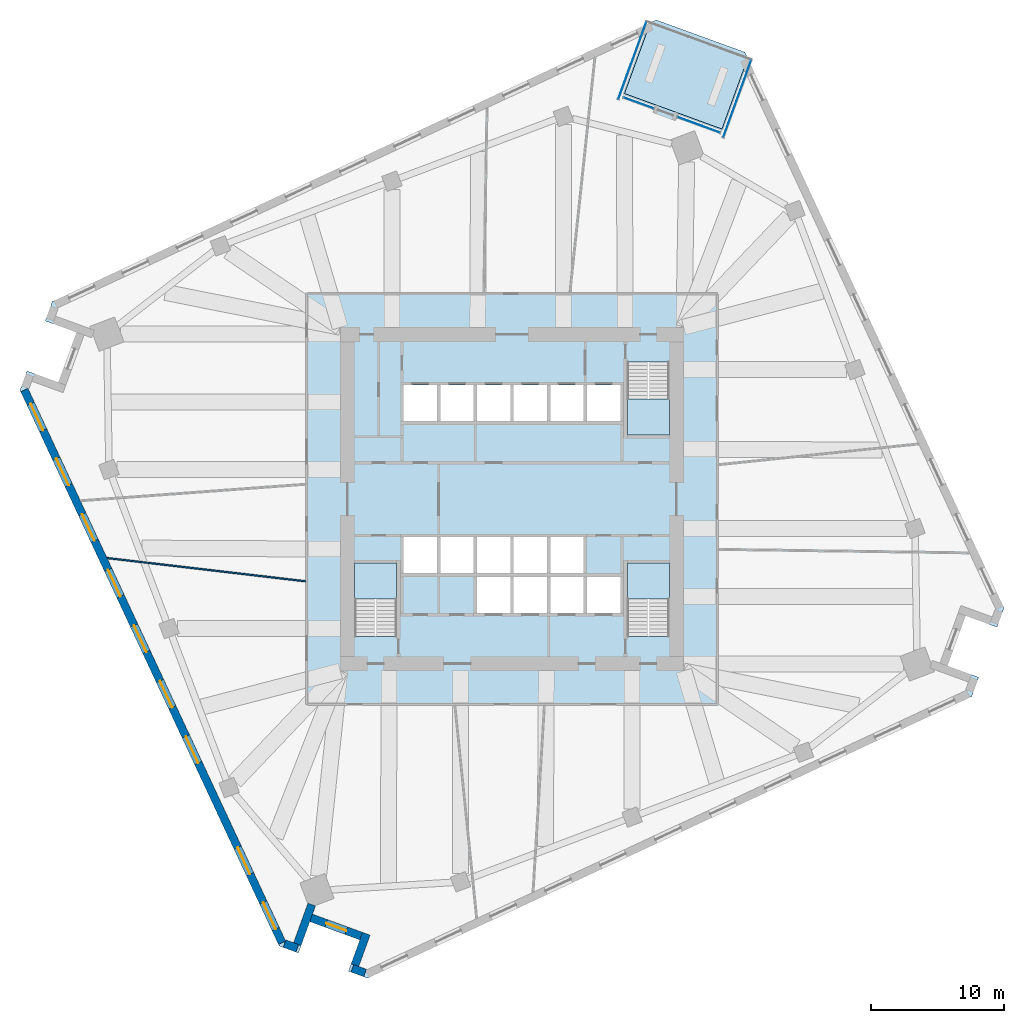
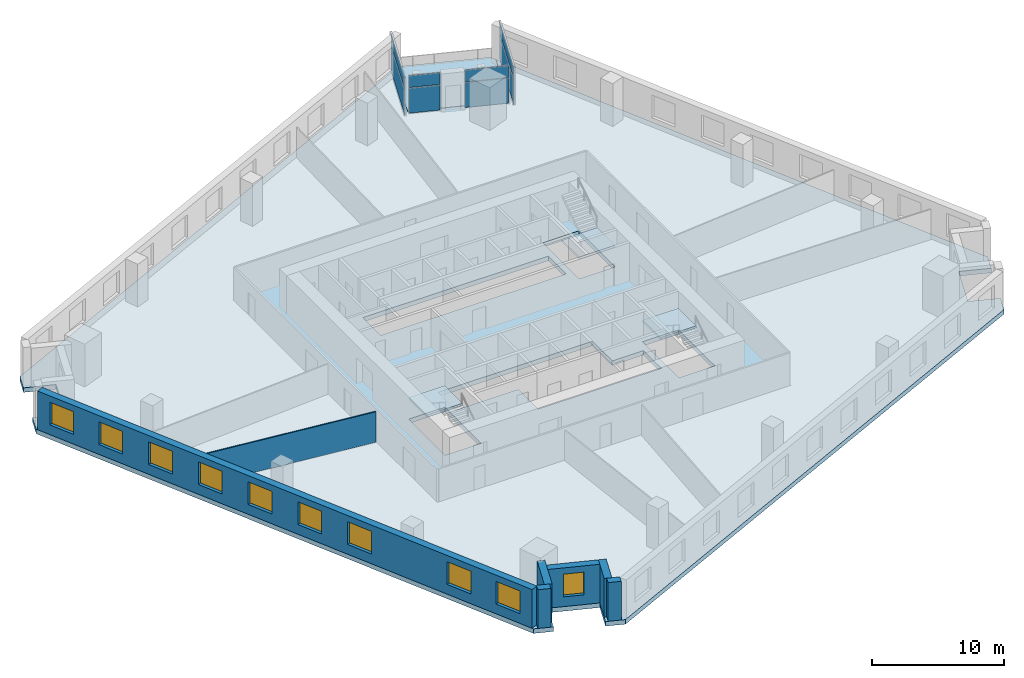
# One storey, part 5 of 12: 10 windows, 8 plates, 7 walls, 5 slabs, 10 openings, 7 elements without a shape of their own.
"""IFC4 building model written with IfcOpenShell, lengths in metres."""

from ifc_helpers import new_model, si_unit, direction, frame, frame_2d, origin, origin_2d, place, context, subcontext, project, spatial, polyline, rectangle, outline, extrude, material, layer, layer_set, type_object, element, fill, aggregate, save


model = new_model("IFC4")

# Units and contexts
model_context = context("Model", 3, precision=1e-05, world=origin(), true_north=direction((0.0, 1.0)))
body_context = subcontext(model_context, "Body", "Model", "MODEL_VIEW")
ifc_project = project(units=[si_unit("LENGTHUNIT", "METRE"), si_unit("AREAUNIT", "SQUARE_METRE"), si_unit("VOLUMEUNIT", "CUBIC_METRE"), si_unit("PLANEANGLEUNIT", "RADIAN"), si_unit("MASSUNIT", "GRAM", prefix="KILO")], contexts=[model_context])

# Site, building, storey
site_placement = place(None, origin())
site = spatial("IfcSite", under=ifc_project, at=site_placement, CompositionType="ELEMENT")
building_placement = place(site_placement, origin())
building = spatial("IfcBuilding", under=site, at=building_placement, Name="Dilmun Exchange Tower", CompositionType="ELEMENT")
storey_placement = place(building_placement, frame((0.0, 0.0, 126.10009765625)))
storey = spatial("IfcBuildingStorey", under=building, at=storey_placement, Name="L29", CompositionType="ELEMENT", Elevation=126.10009765625)

# Stair, slab
ifc_material_1 = material(Name="Concrete C40/50", Category="concrete")
stair_type = type_object("IfcStairType", Name="Exit stair 1500 half-turn", PredefinedType="HALF_TURN_STAIR", material=ifc_material_1)
stair_1_placement = place(storey_placement, origin())
stair_1 = element("IfcStair", 1, at=stair_1_placement, inside=storey, type_object=stair_type, Name="L29 Protected exit stair ST1", PredefinedType="HALF_TURN_STAIR")
ifc_layer_1 = layer(ifc_material_1, 0.199951171875)
ifc_layer_set_1 = layer_set([ifc_layer_1], Name="Concrete C40/50")
slab_type_1 = type_object("IfcSlabType", Name="Exit stair landing 200", PredefinedType="LANDING", material=ifc_layer_set_1)
slab_1_placement = place(storey_placement, frame((0.0, 0.0, 1.7998046875)))
slab_1 = element("IfcSlab", 2, at=slab_1_placement, type_object=slab_type_1, Name="ST1 landing 1", PredefinedType="LANDING", context=body_context, shape_type="SweptSolid", body=[
    extrude(outline(polyline([(8.64990234375, 7.5), (8.64990234375, 4.800048828125), (11.800048828125, 4.800048828125), (11.800048828125, 7.5), (8.64990234375, 7.5)])), origin(), (0.0, 0.0, 1.0), 0.2001953125),
])
aggregate(stair_1, [slab_1])

stair_2_placement = place(storey_placement, origin())
stair_2 = element("IfcStair", 3, at=stair_2_placement, inside=storey, type_object=stair_type, Name="L29 Protected exit stair ST2", PredefinedType="HALF_TURN_STAIR")
slab_2_placement = place(storey_placement, frame((0.0, 0.0, 1.7998046875)))
slab_2 = element("IfcSlab", 4, at=slab_2_placement, type_object=slab_type_1, Name="ST2 landing 1", PredefinedType="LANDING", context=body_context, shape_type="SweptSolid", body=[
    extrude(outline(polyline([(-8.64990234375, -7.5), (-8.64990234375, -4.800048828125), (-11.800048828125, -4.800048828125), (-11.800048828125, -7.5), (-8.64990234375, -7.5)])), origin(), (0.0, 0.0, 1.0), 0.2001953125),
])
aggregate(stair_2, [slab_2])

stair_3_placement = place(storey_placement, origin())
stair_3 = element("IfcStair", 5, at=stair_3_placement, inside=storey, type_object=stair_type, Name="L29 Protected exit stair ST3", PredefinedType="HALF_TURN_STAIR")
slab_3_placement = place(storey_placement, frame((0.0, 0.0, 1.7998046875)))
slab_3 = element("IfcSlab", 6, at=slab_3_placement, type_object=slab_type_1, Name="ST3 landing 1", PredefinedType="LANDING", context=body_context, shape_type="SweptSolid", body=[
    extrude(outline(polyline([(11.800048828125, -7.5), (11.800048828125, -4.800048828125), (8.64990234375, -4.800048828125), (8.64990234375, -7.5), (11.800048828125, -7.5)])), origin(), (0.0, 0.0, 1.0), 0.2001953125),
])
aggregate(stair_3, [slab_3])

# Curtain wall, plates
ifc_material_2 = material(Name="Anodised aluminium and clear glass", Category="aluminium")
curtain_wall_type = type_object("IfcCurtainWallType", Name="Garden corner glazing", PredefinedType="NOTDEFINED", material=ifc_material_2)
curtain_wall_1_placement = place(storey_placement, origin())
curtain_wall_1 = element("IfcCurtainWall", 7, at=curtain_wall_1_placement, inside=storey, type_object=curtain_wall_type, Name="Garden corner glazing run GC1.1", PredefinedType="NOTDEFINED")
ifc_material_3 = material(Name="Clear glass", Category="glass")
ifc_layer_2 = layer(ifc_material_3, 0.028076171875)
ifc_layer_set_2 = layer_set([ifc_layer_2], Name="Clear glass")
plate_type = type_object("IfcPlateType", Name="Garden corner glazing glass panel 28", PredefinedType="CURTAIN_PANEL", material=ifc_layer_set_2)
plate_1_placement = place(storey_placement, frame((16.89404296875, 30.032958984375, 0.059814453125), z_axis=(0.0, 0.0, 1.0), x_axis=(-0.342015551708, -0.939694291986, 0.0)))
plate_1 = element("IfcPlate", 8, at=plate_1_placement, type_object=plate_type, Name="GC1.1 panel 1.1", PredefinedType="CURTAIN_PANEL", context=body_context, shape_type="SweptSolid", body=[
    extrude(rectangle(XDim=6.12646484375, YDim=0.028076171875, at=origin_2d()), origin(), (0.0, 0.0, 1.0), 2.31005859375),
])
plate_2_placement = place(storey_placement, frame((16.89404296875, 30.032958984375, 2.4296875), z_axis=(0.0, 0.0, 1.0), x_axis=(-0.342015551708, -0.939694291986, 0.0)))
plate_2 = element("IfcPlate", 9, at=plate_2_placement, type_object=plate_type, Name="GC1.1 panel 1.2", PredefinedType="CURTAIN_PANEL", context=body_context, shape_type="SweptSolid", body=[
    extrude(rectangle(XDim=6.12646484375, YDim=0.028076171875, at=origin_2d()), origin(), (0.0, 0.0, 1.0), 1.090087890625),
])
aggregate(curtain_wall_1, [plate_1, plate_2])

curtain_wall_2_placement = place(storey_placement, origin())
curtain_wall_2 = element("IfcCurtainWall", 10, at=curtain_wall_2_placement, inside=storey, type_object=curtain_wall_type, Name="Garden corner glazing run GC2.1", PredefinedType="NOTDEFINED")
plate_3_placement = place(storey_placement, frame((14.007080078125, 28.079345703125, 0.059814453125), z_axis=(0.0, 0.0, 1.0), x_axis=(-0.939687942025, 0.342032997842, 0.0)))
plate_3 = element("IfcPlate", 11, at=plate_3_placement, type_object=plate_type, Name="GC2.1 panel 1.1", PredefinedType="CURTAIN_PANEL", context=body_context, shape_type="SweptSolid", body=[
    extrude(rectangle(XDim=3.369140625, YDim=0.028076171875, at=origin_2d()), origin(), (0.0, 0.0, 1.0), 2.31005859375),
])
plate_4_placement = place(storey_placement, frame((14.007080078125, 28.079345703125, 2.4296875), z_axis=(0.0, 0.0, 1.0), x_axis=(-0.939687942025, 0.342032997842, 0.0)))
plate_4 = element("IfcPlate", 12, at=plate_4_placement, type_object=plate_type, Name="GC2.1 panel 1.2", PredefinedType="CURTAIN_PANEL", context=body_context, shape_type="SweptSolid", body=[
    extrude(rectangle(XDim=3.369140625, YDim=0.028076171875, at=origin_2d()), origin(), (0.0, 0.0, 1.0), 1.090087890625),
])
aggregate(curtain_wall_2, [plate_3, plate_4])

curtain_wall_3_placement = place(storey_placement, origin())
curtain_wall_3 = element("IfcCurtainWall", 13, at=curtain_wall_3_placement, inside=storey, type_object=curtain_wall_type, Name="Garden corner glazing run GC2.3", PredefinedType="NOTDEFINED")
plate_5_placement = place(storey_placement, frame((9.5068359375, 29.71728515625, 0.059814453125), z_axis=(0.0, 0.0, 1.0), x_axis=(-0.939696026669, 0.342010785593, 0.0)))
plate_5 = element("IfcPlate", 14, at=plate_5_placement, type_object=plate_type, Name="GC2.3 panel 1.1", PredefinedType="CURTAIN_PANEL", context=body_context, shape_type="SweptSolid", body=[
    extrude(rectangle(XDim=2.369140625, YDim=0.028076171875, at=origin_2d()), origin(), (0.0, 0.0, 1.0), 2.31005859375),
])
plate_6_placement = place(storey_placement, frame((9.5068359375, 29.71728515625, 2.4296875), z_axis=(0.0, 0.0, 1.0), x_axis=(-0.939696026669, 0.342010785593, 0.0)))
plate_6 = element("IfcPlate", 15, at=plate_6_placement, type_object=plate_type, Name="GC2.3 panel 1.2", PredefinedType="CURTAIN_PANEL", context=body_context, shape_type="SweptSolid", body=[
    extrude(rectangle(XDim=2.369140625, YDim=0.028076171875, at=origin_2d()), origin(), (0.0, 0.0, 1.0), 1.090087890625),
])
aggregate(curtain_wall_3, [plate_5, plate_6])

curtain_wall_4_placement = place(storey_placement, origin())
curtain_wall_4 = element("IfcCurtainWall", 16, at=curtain_wall_4_placement, inside=storey, type_object=curtain_wall_type, Name="Garden corner glazing run GC3.1", PredefinedType="NOTDEFINED")
plate_7_placement = place(storey_placement, frame((9.02099609375, 32.8984375, 0.059814453125), z_axis=(0.0, 0.0, 1.0), x_axis=(0.342015551708, 0.939694291986, 0.0)))
plate_7 = element("IfcPlate", 17, at=plate_7_placement, type_object=plate_type, Name="GC3.1 panel 1.1", PredefinedType="CURTAIN_PANEL", context=body_context, shape_type="SweptSolid", body=[
    extrude(rectangle(XDim=6.12646484375, YDim=0.028076171875, at=origin_2d()), origin(), (0.0, 0.0, 1.0), 2.31005859375),
])
plate_8_placement = place(storey_placement, frame((9.02099609375, 32.8984375, 2.4296875), z_axis=(0.0, 0.0, 1.0), x_axis=(0.342015551708, 0.939694291986, 0.0)))
plate_8 = element("IfcPlate", 18, at=plate_8_placement, type_object=plate_type, Name="GC3.1 panel 1.2", PredefinedType="CURTAIN_PANEL", context=body_context, shape_type="SweptSolid", body=[
    extrude(rectangle(XDim=6.12646484375, YDim=0.028076171875, at=origin_2d()), origin(), (0.0, 0.0, 1.0), 1.090087890625),
])
aggregate(curtain_wall_4, [plate_7, plate_8])

# Slabs
ifc_layer_3 = layer(ifc_material_1, 0.419921875)
ifc_layer_set_3 = layer_set([ifc_layer_3], Name="Concrete C40/50")
slab_type_2 = type_object("IfcSlabType", Name="RC floor slab 420", PredefinedType="FLOOR", material=ifc_layer_set_3)
slab_4_placement = place(storey_placement, frame((0.0, 0.0, -0.420166015625)))
element("IfcSlab", 19, at=slab_4_placement, inside=storey, type_object=slab_type_2, Name="Floor slab", PredefinedType="FLOOR", context=body_context, shape_type="SweptSolid", body=[
    extrude(outline(polyline([(36.38427734375, -9.609619140625), (34.034912109375, -8.75439453125), (32.6669921875, -12.51318359375), (35.01611328125, -13.3681640625), (34.490966796875, -14.811279296875), (-10.824462890625, -35.942138671875), (-12.267333984375, -35.4169921875), (-11.412353515625, -33.067626953125), (-15.1708984375, -31.69970703125), (-16.026123046875, -34.048828125), (-17.468994140625, -33.523681640625), (-36.909423828125, 8.16650390625), (-36.38427734375, 9.609619140625), (-34.034912109375, 8.75439453125), (-32.6669921875, 12.51318359375), (-35.01611328125, 13.3681640625), (-34.490966796875, 14.811279296875), (10.37109375, 35.730712890625), (8.43994140625, 30.4248046875), (15.7490234375, 27.764404296875), (17.680419921875, 33.070556640625), (36.909423828125, -8.16650390625), (36.38427734375, -9.609619140625)]), holes=[polyline([(-8.64990234375, -4.800048828125), (-11.800048828125, -4.800048828125), (-11.800048828125, -10.294921875), (-8.64990234375, -10.294921875), (-8.64990234375, -4.800048828125)]), polyline([(11.800048828125, -4.800048828125), (8.64990234375, -4.800048828125), (8.64990234375, -10.294921875), (11.800048828125, -10.294921875), (11.800048828125, -4.800048828125)]), polyline([(-8.125, -2.85009765625), (-8.125, -5.550048828125), (-2.625, -5.550048828125), (-2.625, -8.550048828125), (8.125, -8.550048828125), (8.125, -5.85009765625), (5.375, -5.85009765625), (5.375, -2.85009765625), (-8.125, -2.85009765625)]), polyline([(-8.125, 5.85009765625), (8.125, 5.85009765625), (8.125, 8.550048828125), (-8.125, 8.550048828125), (-8.125, 5.85009765625)]), polyline([(8.64990234375, 10.294921875), (8.64990234375, 4.800048828125), (11.800048828125, 4.800048828125), (11.800048828125, 10.294921875), (8.64990234375, 10.294921875)])]), origin(), (0.0, 0.0, 1.0), 0.420166015625),
])
ifc_layer_4 = layer(ifc_material_1, 0.300048828125)
ifc_layer_set_4 = layer_set([ifc_layer_4], Name="Concrete C40/50")
slab_type_3 = type_object("IfcSlabType", Name="RC garden terrace slab 300", PredefinedType="FLOOR", material=ifc_layer_set_4)
slab_5_placement = place(storey_placement, frame((0.0, 0.0, -0.300048828125)))
element("IfcSlab", 20, at=slab_5_placement, inside=storey, type_object=slab_type_3, Name="Garden terrace slab", PredefinedType="FLOOR", context=body_context, shape_type="SweptSolid", body=[
    extrude(outline(polyline([(8.43994140625, 30.4248046875), (10.37109375, 35.730712890625), (10.824462890625, 35.942138671875), (17.468994140625, 33.523681640625), (17.680419921875, 33.070556640625), (15.7490234375, 27.764404296875), (8.43994140625, 30.4248046875)])), origin(), (0.0, 0.0, 1.0), 0.300048828125),
])

# Wall
ifc_material_4 = material(Name="Partition 100")
ifc_layer_5 = layer(ifc_material_4, 0.10009765625)
ifc_layer_set_5 = layer_set([ifc_layer_5], Name="Partition 100")
wall_type_1 = type_object("IfcWallType", Name="Partition 100", PredefinedType="PARTITIONING", material=ifc_layer_set_5)
wall_1_placement = place(storey_placement, frame((-30.375, -4.42236328125, 0.0), z_axis=(0.0, 0.0, 1.0), x_axis=(0.993213359121, -0.116306591663, 0.0)))
element("IfcWall", 21, at=wall_1_placement, inside=storey, type_object=wall_type_1, Name="Partition", PredefinedType="PARTITIONING", context=body_context, shape_type="SweptSolid", body=[
    extrude(rectangle(XDim=14.99609375, YDim=0.10009765625, at=frame_2d((7.498046875, 0.0))), origin(), (0.0, 0.0, 1.0), 2.829833984375),
])

# Wall, openings, windows
ifc_material_5 = material(Name="Precast concrete C50/60", Category="concrete")
ifc_layer_6 = layer(ifc_material_5, 0.60009765625)
ifc_layer_set_6 = layer_set([ifc_layer_6], Name="Precast concrete C50/60")
wall_type_2 = type_object("IfcWallType", Name="Precast stone-clad wall 600", PredefinedType="STANDARD", material=ifc_layer_set_6)
wall_2_placement = place(storey_placement, frame((-36.5849609375, 8.1806640625, 0.0), z_axis=(0.0, 0.0, 1.0), x_axis=(0.422619608855, -0.906307158866, 0.0)))
wall_2 = element("IfcWall", 22, at=wall_2_placement, inside=storey, type_object=wall_type_2, Name="Facade wall L29-09", PredefinedType="STANDARD", context=body_context, shape_type="SweptSolid", body=[
    extrude(rectangle(XDim=45.75146484375, YDim=0.60009765625, at=frame_2d((22.875732421875, 0.0))), origin(), (0.0, 0.0, 1.0), 3.579833984375),
])
opening_1_placement = place(wall_2_placement, frame((1.137939453125, 0.0, 0.89990234375)))
opening_1 = element("IfcOpeningElement", 23, at=opening_1_placement, cuts=wall_2, Name="Opening W220-210", PredefinedType="OPENING", context=body_context, shape_type="SweptSolid", body=[
    extrude(rectangle(XDim=2.199951171875, YDim=2.10009765625, at=frame_2d((1.10009765625, 1.050048828125))), frame((0.0, 0.31005859375, 0.0), z_axis=(0.0, -1.0, 0.0), x_axis=(1.0, 0.0, 0.0)), (0.0, 0.0, 1.0), 0.6201171875),
])
opening_2_placement = place(wall_2_placement, frame((5.67578125, 0.0, 0.89990234375)))
opening_2 = element("IfcOpeningElement", 24, at=opening_2_placement, cuts=wall_2, Name="Opening W220-210", PredefinedType="OPENING", context=body_context, shape_type="SweptSolid", body=[
    extrude(rectangle(XDim=2.199951171875, YDim=2.10009765625, at=frame_2d((1.10009765625, 1.050048828125))), frame((0.0, 0.31005859375, 0.0), z_axis=(0.0, -1.0, 0.0), x_axis=(1.0, 0.0, 0.0)), (0.0, 0.0, 1.0), 0.6201171875),
])
opening_3_placement = place(wall_2_placement, frame((10.275634765625, 0.0, 0.89990234375)))
opening_3 = element("IfcOpeningElement", 25, at=opening_3_placement, cuts=wall_2, Name="Opening W220-210", PredefinedType="OPENING", context=body_context, shape_type="SweptSolid", body=[
    extrude(rectangle(XDim=2.199951171875, YDim=2.10009765625, at=frame_2d((1.10009765625, 1.050048828125))), frame((0.0, 0.31005859375, 0.0), z_axis=(0.0, -1.0, 0.0), x_axis=(1.0, 0.0, 0.0)), (0.0, 0.0, 1.0), 0.6201171875),
])
opening_4_placement = place(wall_2_placement, frame((14.875732421875, 0.0, 0.89990234375)))
opening_4 = element("IfcOpeningElement", 26, at=opening_4_placement, cuts=wall_2, Name="Opening W220-210", PredefinedType="OPENING", context=body_context, shape_type="SweptSolid", body=[
    extrude(rectangle(XDim=2.199951171875, YDim=2.10009765625, at=frame_2d((1.10009765625, 1.050048828125))), frame((0.0, 0.31005859375, 0.0), z_axis=(0.0, -1.0, 0.0), x_axis=(1.0, 0.0, 0.0)), (0.0, 0.0, 1.0), 0.6201171875),
])
opening_5_placement = place(wall_2_placement, frame((19.4755859375, 0.0, 0.89990234375)))
opening_5 = element("IfcOpeningElement", 27, at=opening_5_placement, cuts=wall_2, Name="Opening W220-210", PredefinedType="OPENING", context=body_context, shape_type="SweptSolid", body=[
    extrude(rectangle(XDim=2.199951171875, YDim=2.10009765625, at=frame_2d((1.10009765625, 1.050048828125))), frame((0.0, 0.31005859375, 0.0), z_axis=(0.0, -1.0, 0.0), x_axis=(1.0, 0.0, 0.0)), (0.0, 0.0, 1.0), 0.6201171875),
])
opening_6_placement = place(wall_2_placement, frame((24.07568359375, 0.0, 0.89990234375)))
opening_6 = element("IfcOpeningElement", 28, at=opening_6_placement, cuts=wall_2, Name="Opening W220-210", PredefinedType="OPENING", context=body_context, shape_type="SweptSolid", body=[
    extrude(rectangle(XDim=2.199951171875, YDim=2.10009765625, at=frame_2d((1.10009765625, 1.050048828125))), frame((0.0, 0.31005859375, 0.0), z_axis=(0.0, -1.0, 0.0), x_axis=(1.0, 0.0, 0.0)), (0.0, 0.0, 1.0), 0.6201171875),
])
opening_7_placement = place(wall_2_placement, frame((28.67578125, 0.0, 0.89990234375)))
opening_7 = element("IfcOpeningElement", 29, at=opening_7_placement, cuts=wall_2, Name="Opening W220-210", PredefinedType="OPENING", context=body_context, shape_type="SweptSolid", body=[
    extrude(rectangle(XDim=2.199951171875, YDim=2.10009765625, at=frame_2d((1.10009765625, 1.050048828125))), frame((0.0, 0.31005859375, 0.0), z_axis=(0.0, -1.0, 0.0), x_axis=(1.0, 0.0, 0.0)), (0.0, 0.0, 1.0), 0.6201171875),
])
opening_8_placement = place(wall_2_placement, frame((37.875732421875, 0.0, 0.89990234375)))
opening_8 = element("IfcOpeningElement", 30, at=opening_8_placement, cuts=wall_2, Name="Opening W220-210", PredefinedType="OPENING", context=body_context, shape_type="SweptSolid", body=[
    extrude(rectangle(XDim=2.199951171875, YDim=2.10009765625, at=frame_2d((1.10009765625, 1.050048828125))), frame((0.0, 0.31005859375, 0.0), z_axis=(0.0, -1.0, 0.0), x_axis=(1.0, 0.0, 0.0)), (0.0, 0.0, 1.0), 0.6201171875),
])
opening_9_placement = place(wall_2_placement, frame((42.41357421875, 0.0, 0.89990234375)))
opening_9 = element("IfcOpeningElement", 31, at=opening_9_placement, cuts=wall_2, Name="Opening W220-210", PredefinedType="OPENING", context=body_context, shape_type="SweptSolid", body=[
    extrude(rectangle(XDim=2.199951171875, YDim=2.10009765625, at=frame_2d((1.10009765625, 1.050048828125))), frame((0.0, 0.31005859375, 0.0), z_axis=(0.0, -1.0, 0.0), x_axis=(1.0, 0.0, 0.0)), (0.0, 0.0, 1.0), 0.6201171875),
])
ifc_material_6 = material(Name="Clear low-emissivity glass in aluminium frame", Category="aluminium")
window_type_1 = type_object("IfcWindowType", Name="Punched window 2200 x 2100", PartitioningType="DOUBLE_PANEL_VERTICAL", PredefinedType="WINDOW", material=ifc_material_6)
window_1_placement = place(opening_1_placement, origin())
window_1 = element("IfcWindow", 32, at=window_1_placement, inside=storey, type_object=window_type_1, Name="Window 10.1", OverallHeight=2.10009765625, OverallWidth=2.199951171875, PartitioningType="SINGLE_PANEL", PredefinedType="WINDOW", context=body_context, shape_type="SweptSolid", body=[
    extrude(rectangle(XDim=2.199951171875, YDim=2.10009765625, at=frame_2d((1.10009765625, 1.050048828125))), frame((0.0, 0.030029296875, 0.0), z_axis=(0.0, -1.0, 0.0), x_axis=(1.0, 0.0, 0.0)), (0.0, 0.0, 1.0), 0.06005859375),
])
fill(opening_1, window_1)
window_2_placement = place(opening_2_placement, origin())
window_2 = element("IfcWindow", 33, at=window_2_placement, inside=storey, type_object=window_type_1, Name="Window 10.2", OverallHeight=2.10009765625, OverallWidth=2.199951171875, PartitioningType="SINGLE_PANEL", PredefinedType="WINDOW", context=body_context, shape_type="SweptSolid", body=[
    extrude(rectangle(XDim=2.199951171875, YDim=2.10009765625, at=frame_2d((1.10009765625, 1.050048828125))), frame((0.0, 0.030029296875, 0.0), z_axis=(0.0, -1.0, 0.0), x_axis=(1.0, 0.0, 0.0)), (0.0, 0.0, 1.0), 0.06005859375),
])
fill(opening_2, window_2)
window_3_placement = place(opening_3_placement, origin())
window_3 = element("IfcWindow", 34, at=window_3_placement, inside=storey, type_object=window_type_1, Name="Window 10.3", OverallHeight=2.10009765625, OverallWidth=2.199951171875, PartitioningType="SINGLE_PANEL", PredefinedType="WINDOW", context=body_context, shape_type="SweptSolid", body=[
    extrude(rectangle(XDim=2.199951171875, YDim=2.10009765625, at=frame_2d((1.10009765625, 1.050048828125))), frame((0.0, 0.030029296875, 0.0), z_axis=(0.0, -1.0, 0.0), x_axis=(1.0, 0.0, 0.0)), (0.0, 0.0, 1.0), 0.06005859375),
])
fill(opening_3, window_3)
window_4_placement = place(opening_4_placement, origin())
window_4 = element("IfcWindow", 35, at=window_4_placement, inside=storey, type_object=window_type_1, Name="Window 10.4", OverallHeight=2.10009765625, OverallWidth=2.199951171875, PartitioningType="SINGLE_PANEL", PredefinedType="WINDOW", context=body_context, shape_type="SweptSolid", body=[
    extrude(rectangle(XDim=2.199951171875, YDim=2.10009765625, at=frame_2d((1.10009765625, 1.050048828125))), frame((0.0, 0.030029296875, 0.0), z_axis=(0.0, -1.0, 0.0), x_axis=(1.0, 0.0, 0.0)), (0.0, 0.0, 1.0), 0.06005859375),
])
fill(opening_4, window_4)
window_5_placement = place(opening_5_placement, origin())
window_5 = element("IfcWindow", 36, at=window_5_placement, inside=storey, type_object=window_type_1, Name="Window 10.5", OverallHeight=2.10009765625, OverallWidth=2.199951171875, PartitioningType="SINGLE_PANEL", PredefinedType="WINDOW", context=body_context, shape_type="SweptSolid", body=[
    extrude(rectangle(XDim=2.199951171875, YDim=2.10009765625, at=frame_2d((1.10009765625, 1.050048828125))), frame((0.0, 0.030029296875, 0.0), z_axis=(0.0, -1.0, 0.0), x_axis=(1.0, 0.0, 0.0)), (0.0, 0.0, 1.0), 0.06005859375),
])
fill(opening_5, window_5)
window_6_placement = place(opening_6_placement, origin())
window_6 = element("IfcWindow", 37, at=window_6_placement, inside=storey, type_object=window_type_1, Name="Window 10.6", OverallHeight=2.10009765625, OverallWidth=2.199951171875, PartitioningType="SINGLE_PANEL", PredefinedType="WINDOW", context=body_context, shape_type="SweptSolid", body=[
    extrude(rectangle(XDim=2.199951171875, YDim=2.10009765625, at=frame_2d((1.10009765625, 1.050048828125))), frame((0.0, 0.030029296875, 0.0), z_axis=(0.0, -1.0, 0.0), x_axis=(1.0, 0.0, 0.0)), (0.0, 0.0, 1.0), 0.06005859375),
])
fill(opening_6, window_6)
window_7_placement = place(opening_7_placement, origin())
window_7 = element("IfcWindow", 38, at=window_7_placement, inside=storey, type_object=window_type_1, Name="Window 10.7", OverallHeight=2.10009765625, OverallWidth=2.199951171875, PartitioningType="SINGLE_PANEL", PredefinedType="WINDOW", context=body_context, shape_type="SweptSolid", body=[
    extrude(rectangle(XDim=2.199951171875, YDim=2.10009765625, at=frame_2d((1.10009765625, 1.050048828125))), frame((0.0, 0.030029296875, 0.0), z_axis=(0.0, -1.0, 0.0), x_axis=(1.0, 0.0, 0.0)), (0.0, 0.0, 1.0), 0.06005859375),
])
fill(opening_7, window_7)
window_8_placement = place(opening_8_placement, origin())
window_8 = element("IfcWindow", 39, at=window_8_placement, inside=storey, type_object=window_type_1, Name="Window 10.9", OverallHeight=2.10009765625, OverallWidth=2.199951171875, PartitioningType="SINGLE_PANEL", PredefinedType="WINDOW", context=body_context, shape_type="SweptSolid", body=[
    extrude(rectangle(XDim=2.199951171875, YDim=2.10009765625, at=frame_2d((1.10009765625, 1.050048828125))), frame((0.0, 0.030029296875, 0.0), z_axis=(0.0, -1.0, 0.0), x_axis=(1.0, 0.0, 0.0)), (0.0, 0.0, 1.0), 0.06005859375),
])
fill(opening_8, window_8)
window_9_placement = place(opening_9_placement, origin())
window_9 = element("IfcWindow", 40, at=window_9_placement, inside=storey, type_object=window_type_1, Name="Window 10.10", OverallHeight=2.10009765625, OverallWidth=2.199951171875, PartitioningType="SINGLE_PANEL", PredefinedType="WINDOW", context=body_context, shape_type="SweptSolid", body=[
    extrude(rectangle(XDim=2.199951171875, YDim=2.10009765625, at=frame_2d((1.10009765625, 1.050048828125))), frame((0.0, 0.030029296875, 0.0), z_axis=(0.0, -1.0, 0.0), x_axis=(1.0, 0.0, 0.0)), (0.0, 0.0, 1.0), 0.06005859375),
])
fill(opening_9, window_9)

# Walls
wall_3_placement = place(storey_placement, frame((-17.061767578125, -33.3525390625, 0.0), z_axis=(0.0, 0.0, 1.0), x_axis=(0.939687665182, -0.342033758429, 0.0)))
element("IfcWall", 41, at=wall_3_placement, inside=storey, type_object=wall_type_2, Name="Facade wall L29-10", PredefinedType="STANDARD", context=body_context, shape_type="SweptSolid", body=[
    extrude(rectangle(XDim=1.011474609375, YDim=0.60009765625, at=frame_2d((0.505859375, 0.0))), origin(), (0.0, 0.0, 1.0), 3.579833984375),
])
wall_4_placement = place(storey_placement, frame((-16.102783203125, -33.38232421875, 0.0), z_axis=(0.0, 0.0, 1.0), x_axis=(0.342003629731, 0.939698631079, 0.0)))
element("IfcWall", 42, at=wall_4_placement, inside=storey, type_object=wall_type_2, Name="Facade wall L29-11", PredefinedType="STANDARD", context=body_context, shape_type="SweptSolid", body=[
    extrude(rectangle(XDim=3.159423828125, YDim=0.60009765625, at=frame_2d((1.57958984375, 0.0))), origin(), (0.0, 0.0, 1.0), 3.579833984375),
])

# Wall, opening, window
wall_5_placement = place(storey_placement, frame((-15.068359375, -31.417724609375, 0.0), z_axis=(0.0, 0.0, 1.0), x_axis=(0.939679314823, -0.342056698946, 0.0)))
wall_5 = element("IfcWall", 43, at=wall_5_placement, inside=storey, type_object=wall_type_2, Name="Facade wall L29-12", PredefinedType="STANDARD", context=body_context, shape_type="SweptSolid", body=[
    extrude(rectangle(XDim=3.999755859375, YDim=0.60009765625, at=frame_2d((2.0, 0.0))), origin(), (0.0, 0.0, 1.0), 3.579833984375),
])
opening_10_placement = place(wall_5_placement, frame((1.199951171875, 0.0, 0.89990234375)))
opening_10 = element("IfcOpeningElement", 44, at=opening_10_placement, cuts=wall_5, Name="Opening W160-210", PredefinedType="OPENING", context=body_context, shape_type="SweptSolid", body=[
    extrude(rectangle(XDim=1.60009765625, YDim=2.10009765625, at=frame_2d((0.800048828125, 1.050048828125))), frame((0.0, 0.31005859375, 0.0), z_axis=(0.0, -1.0, 0.0), x_axis=(1.0, 0.0, 0.0)), (0.0, 0.0, 1.0), 0.6201171875),
])
window_type_2 = type_object("IfcWindowType", Name="Punched window 1600 x 2100", PartitioningType="DOUBLE_PANEL_VERTICAL", PredefinedType="WINDOW", material=ifc_material_6)
window_10_placement = place(opening_10_placement, origin())
window_10 = element("IfcWindow", 45, at=window_10_placement, inside=storey, type_object=window_type_2, Name="Window 13.1", OverallHeight=2.10009765625, OverallWidth=1.60009765625, PartitioningType="SINGLE_PANEL", PredefinedType="WINDOW", context=body_context, shape_type="SweptSolid", body=[
    extrude(rectangle(XDim=1.60009765625, YDim=2.10009765625, at=frame_2d((0.800048828125, 1.050048828125))), frame((0.0, 0.030029296875, 0.0), z_axis=(0.0, -1.0, 0.0), x_axis=(1.0, 0.0, 0.0)), (0.0, 0.0, 1.0), 0.06005859375),
])
fill(opening_10, window_10)

# Walls
wall_6_placement = place(storey_placement, frame((-10.925048828125, -32.6064453125, 0.0), z_axis=(0.0, 0.0, 1.0), x_axis=(-0.342064500802, -0.939676474799, 0.0)))
element("IfcWall", 46, at=wall_6_placement, inside=storey, type_object=wall_type_2, Name="Facade wall L29-13", PredefinedType="STANDARD", context=body_context, shape_type="SweptSolid", body=[
    extrude(rectangle(XDim=2.500244140625, YDim=0.60009765625, at=frame_2d((1.25, 0.0))), origin(), (0.0, 0.0, 1.0), 3.579833984375),
])
wall_7_placement = place(storey_placement, frame((-11.976806640625, -35.203369140625, 0.0), z_axis=(0.0, 0.0, 1.0), x_axis=(0.939659417368, -0.342111355193, 0.0)))
element("IfcWall", 47, at=wall_7_placement, inside=storey, type_object=wall_type_2, Name="Facade wall L29-14", PredefinedType="STANDARD", context=body_context, shape_type="SweptSolid", body=[
    extrude(rectangle(XDim=1.01123046875, YDim=0.60009765625, at=frame_2d((0.505615234375, 0.0))), origin(), (0.0, 0.0, 1.0), 3.579833984375),
])

save(model, "model.ifc")
